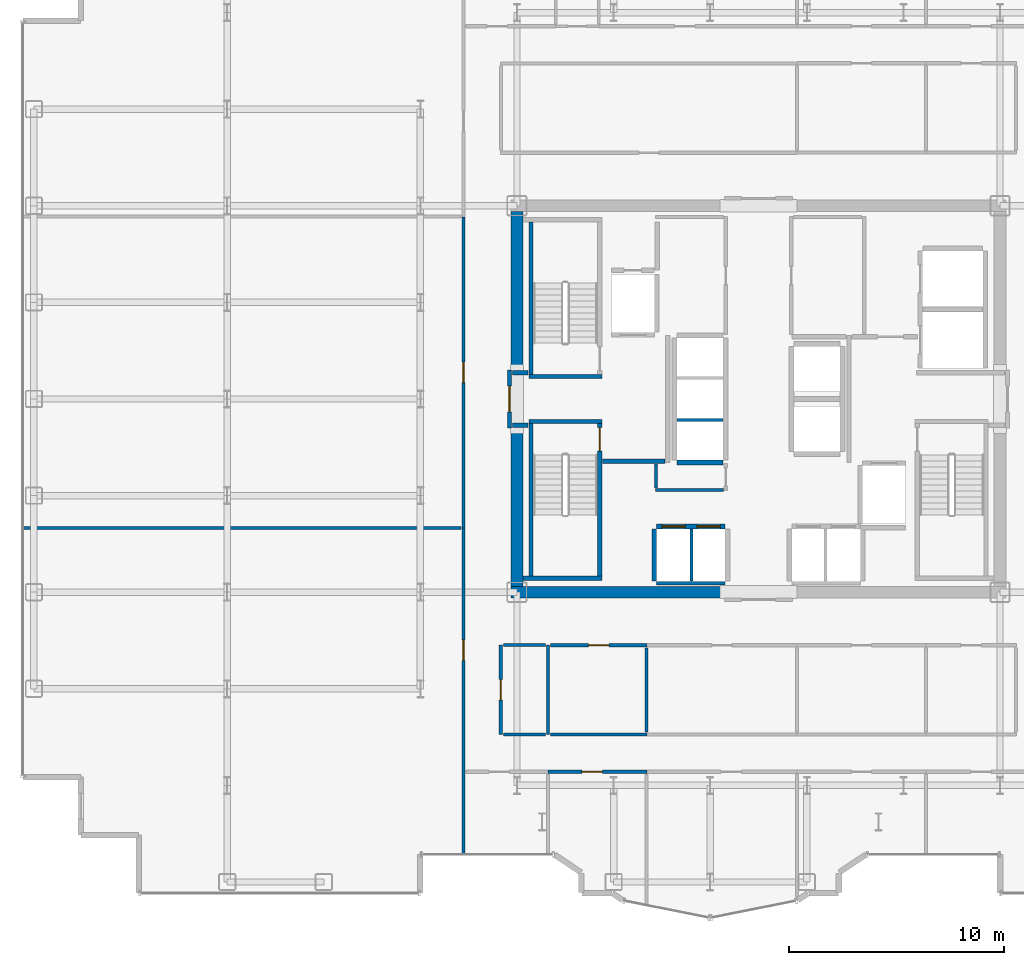
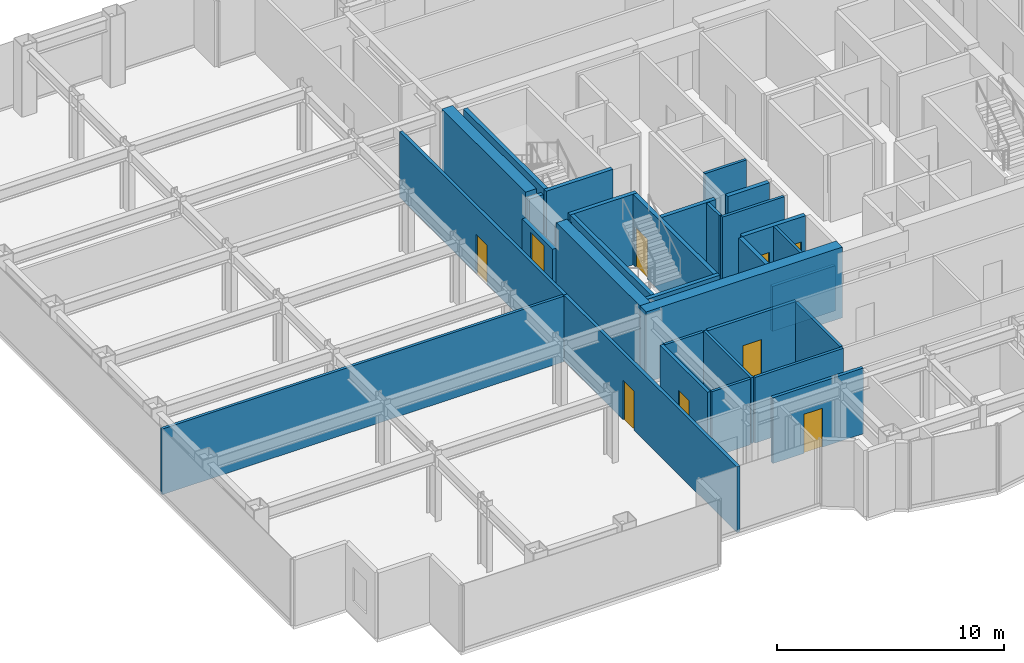
# One storey, part 17 of 23: 32 walls, 9 doors, 9 openings.
"""IFC4 building model written with IfcOpenShell, lengths in metres."""

import ifcopenshell
import ifcopenshell.guid

model = None  # the IFC model being written
_history = None  # IfcOwnerHistory: only IFC2X3 demands one
_inside = {}  # id of a spatial element -> (the spatial element, [elements in it])
_under = {}  # id of a project, library or spatial element -> (it, [spatial elements below it])
_declared = {}  # id of a project -> (the project, [libraries it declares])
_typed = {}  # id of a type object -> (the type object, [elements of that type])
_made_of = {}  # id of a material, layer set ... -> (it, [elements and type objects made of it])


def new_model(schema):
    """Start an empty IFC model of exactly this schema.

    Asked for "IFC4X3", IfcOpenShell would pick the latest addendum, in which some entities
    have other attributes; the version numbers below select the first issue.
    IFC2X3 requires an IfcOwnerHistory on every rooted entity: one is made here for all.
    """
    global model, _history
    if schema == "IFC4X3":
        model = ifcopenshell.file(schema_version=(4, 3, 0, 0))
    else:
        model = ifcopenshell.file(schema=schema)
    _inside.clear()
    _under.clear()
    _declared.clear()
    _typed.clear()
    _made_of.clear()
    _history = None
    if model.schema == "IFC2X3":
        org = make("IfcOrganization", Name="unknown")
        user = make(
            "IfcPersonAndOrganization",
            ThePerson=make("IfcPerson", FamilyName="unknown"),
            TheOrganization=org,
        )
        app = make(
            "IfcApplication",
            ApplicationDeveloper=org,
            Version="unknown",
            ApplicationFullName="unknown",
            ApplicationIdentifier="unknown",
        )
        _history = make(
            "IfcOwnerHistory",
            OwningUser=user,
            OwningApplication=app,
            ChangeAction="ADDED",
            CreationDate=0,
        )
    return model


def make(cls, **values):
    """One entity of the class cls with the attributes given. An attribute that is None is left unset."""
    return model.create_entity(
        cls, **{name: value for name, value in values.items() if value is not None}
    )


def rooted(cls, **values):
    """An entity with a GlobalId (a new one), such as an element, a storey or a relation."""
    return make(cls, GlobalId=ifcopenshell.guid.new(), OwnerHistory=_history, **values)


def si_unit(unit_type, name, prefix=None):
    """IfcSIUnit, for example si_unit("LENGTHUNIT", "METRE", prefix="MILLI")."""
    return make("IfcSIUnit", UnitType=unit_type, Prefix=prefix, Name=name)


def assignment(units):
    """IfcUnitAssignment: the units of a project."""
    return None if units is None else make("IfcUnitAssignment", Units=units)


def point(xyz):
    """IfcCartesianPoint."""
    return None if xyz is None else make("IfcCartesianPoint", Coordinates=xyz)


def direction(xyz):
    """IfcDirection."""
    return None if xyz is None else make("IfcDirection", DirectionRatios=xyz)


def frame(location, z_axis=None, x_axis=None):
    """IfcAxis2Placement3D, a coordinate frame: its origin and axes. An axis left out is left unset."""
    return make(
        "IfcAxis2Placement3D",
        Location=point(location),
        Axis=direction(z_axis),
        RefDirection=direction(x_axis),
    )


def frame_2d(location, x_axis=None):
    """IfcAxis2Placement2D, a coordinate frame in the plane: its origin and x axis."""
    return make(
        "IfcAxis2Placement2D", Location=point(location), RefDirection=direction(x_axis)
    )


def origin():
    """The frame at (0, 0, 0) with its axes left unset."""
    return frame((0.0, 0.0, 0.0))


def place(relative_to, where):
    """IfcLocalPlacement: puts the frame where relative to a parent placement (None: the world)."""
    return make(
        "IfcLocalPlacement", PlacementRelTo=relative_to, RelativePlacement=where
    )


def context(
    kind, dimensions, precision=None, world=None, true_north=None, identifier=None
):
    """IfcGeometricRepresentationContext, for example the 3D "Model" context."""
    return make(
        "IfcGeometricRepresentationContext",
        ContextIdentifier=identifier,
        ContextType=kind,
        CoordinateSpaceDimension=dimensions,
        Precision=precision,
        WorldCoordinateSystem=world,
        TrueNorth=true_north,
    )


def subcontext(parent, identifier, kind, view, scale=None):
    """IfcGeometricRepresentationSubContext, for example "Body" below "Model"."""
    return make(
        "IfcGeometricRepresentationSubContext",
        ContextIdentifier=identifier,
        ContextType=kind,
        ParentContext=parent,
        TargetScale=scale,
        TargetView=view,
    )


def project(units=None, contexts=None):
    """IfcProject with its units and contexts."""
    return rooted(
        "IfcProject",
        Name="project",
        RepresentationContexts=contexts,
        UnitsInContext=assignment(units),
    )


def spatial(cls, under=None, at=None, **own):
    """A site, building, storey or space (cls), placed at a placement, below another one or the project."""
    s = rooted(cls, ObjectPlacement=at, **own)
    if under is not None:
        _under.setdefault(under.id(), (under, []))[1].append(s)
    return s


def profile(cls, at=None, kind="AREA", **sizes):
    """A parametric profile (cls). Its sizes go by their IFC names, for example OverallWidth=200.0."""
    return make(cls, ProfileType=kind, Position=at, **sizes)


def rectangle(**sizes):
    """IfcRectangleProfileDef."""
    return profile("IfcRectangleProfileDef", **sizes)


def extrude(swept, where, along, depth):
    """IfcExtrudedAreaSolid: the profile swept, set in the frame where, extruded along a direction by depth."""
    return make(
        "IfcExtrudedAreaSolid",
        SweptArea=swept,
        Position=where,
        ExtrudedDirection=direction(along),
        Depth=depth,
    )


def shape(context_of_items, identifier, shape_type, items):
    """IfcShapeRepresentation: the items that make up one representation, for example the "Body"."""
    return make(
        "IfcShapeRepresentation",
        ContextOfItems=context_of_items,
        RepresentationIdentifier=identifier,
        RepresentationType=shape_type,
        Items=items,
    )


def source(mapping_origin, context_of_items, identifier, shape_type, items):
    """IfcRepresentationMap: a shape defined once, which mapped items show again and again."""
    return make(
        "IfcRepresentationMap",
        MappingOrigin=mapping_origin,
        MappedRepresentation=shape(context_of_items, identifier, shape_type, items),
    )


def transform(
    local_origin,
    x_axis=None,
    y_axis=None,
    z_axis=None,
    scale=None,
    scale2=None,
    scale3=None,
    uniform=True,
):
    """IfcCartesianTransformationOperator3D, or its non-uniform kind. x_axis, y_axis, z_axis: its Axis1, 2, 3."""
    if uniform:
        return make(
            "IfcCartesianTransformationOperator3D",
            Axis1=direction(x_axis),
            Axis2=direction(y_axis),
            LocalOrigin=point(local_origin),
            Scale=scale,
            Axis3=direction(z_axis),
        )
    return make(
        "IfcCartesianTransformationOperator3DnonUniform",
        Axis1=direction(x_axis),
        Axis2=direction(y_axis),
        LocalOrigin=point(local_origin),
        Scale=scale,
        Axis3=direction(z_axis),
        Scale2=scale2,
        Scale3=scale3,
    )


def mapped(mapping_source, mapping_target):
    """IfcMappedItem: shows the shape of a source again, moved by a transform."""
    return make(
        "IfcMappedItem", MappingSource=mapping_source, MappingTarget=mapping_target
    )


def material(Name=None, Category=None):
    """IfcMaterial."""
    return make("IfcMaterial", Name=Name, Category=Category)


def layer(
    of_material, thickness, ventilated=None, Name=None, Category=None, Priority=None
):
    """IfcMaterialLayer: one layer of a wall or slab, of a material (None: an air gap)."""
    return make(
        "IfcMaterialLayer",
        Material=of_material,
        LayerThickness=thickness,
        IsVentilated=ventilated,
        Name=Name,
        Category=Category,
        Priority=Priority,
    )


def layer_set(layers, Name=None):
    """IfcMaterialLayerSet."""
    return make("IfcMaterialLayerSet", MaterialLayers=layers, LayerSetName=Name)


def made_of(thing, what):
    """Note that an element or type object is made of a material, layer set ...; save() writes the relation."""
    if what is not None:
        _made_of.setdefault(what.id(), (what, []))[1].append(thing)
    return thing


def type_object(cls, material=None, **own):
    """A type object (cls), such as IfcWallType, which elements share."""
    return made_of(rooted(cls, **own), material)


def element(
    cls,
    number,
    at=None,
    inside=None,
    cuts=None,
    type_object=None,
    material=None,
    context=None,
    identifier="Body",
    shape_type=None,
    held_by="IfcProductDefinitionShape",
    body=None,
    shapes=None,
    **own,
):
    """One element of the class cls, such as IfcWall. Its Tag is "e" and its number.

    at: its placement. inside: the storey or other place that contains it. cuts: it is an
    opening in that element (IfcRelVoidsElement). A single representation is given by context,
    identifier, shape_type and body (its items); several are given by shapes. held_by: the class
    of the entity that holds the representations. save() writes the other relations.
    """
    e = rooted(cls, Tag="e%d" % number, ObjectPlacement=at, **own)
    if body is not None:
        shapes = [shape(context, identifier, shape_type, body)]
    if shapes is not None:
        e.Representation = make(held_by, Representations=shapes)
    if inside is not None:
        _inside.setdefault(inside.id(), (inside, []))[1].append(e)
    if cuts is not None:
        rooted(
            "IfcRelVoidsElement", RelatingBuildingElement=cuts, RelatedOpeningElement=e
        )
    if type_object is not None:
        _typed.setdefault(type_object.id(), (type_object, []))[1].append(e)
    return made_of(e, material)


def fill(opening, filler):
    """IfcRelFillsElement: the door or window that sits in an opening."""
    return rooted(
        "IfcRelFillsElement",
        RelatingOpeningElement=opening,
        RelatedBuildingElement=filler,
    )


def aggregate(whole, parts):
    """IfcRelAggregates: a whole, such as a stair, and the parts it consists of."""
    return rooted("IfcRelAggregates", RelatingObject=whole, RelatedObjects=parts)


def save(model, path):
    """Write the relations noted so far, then the file.

    IfcRelAggregates (storeys below a building ...), IfcRelContainedInSpatialStructure (elements
    in a storey), IfcRelDefinesByType, IfcRelAssociatesMaterial and IfcRelDeclares: one each for
    every whole, place, type object, material and project.
    """
    for whole, parts in _under.values():
        aggregate(whole, parts)
    for where, things in _inside.values():
        rooted(
            "IfcRelContainedInSpatialStructure",
            RelatedElements=things,
            RelatingStructure=where,
        )
    for kind, things in _typed.values():
        rooted("IfcRelDefinesByType", RelatedObjects=things, RelatingType=kind)
    for what, things in _made_of.values():
        rooted("IfcRelAssociatesMaterial", RelatedObjects=things, RelatingMaterial=what)
    for by, libraries in _declared.values():
        rooted("IfcRelDeclares", RelatingContext=by, RelatedDefinitions=libraries)
    model.write(path)


model = new_model("IFC4")

# Units and contexts
model_context = context("Model", 3, precision=1e-05, world=origin(), true_north=direction((0.0, 1.0)))
body_context = subcontext(model_context, "Body", "Model", "MODEL_VIEW")
ifc_project = project(units=[si_unit("LENGTHUNIT", "METRE"), si_unit("AREAUNIT", "SQUARE_METRE"), si_unit("VOLUMEUNIT", "CUBIC_METRE"), si_unit("PLANEANGLEUNIT", "RADIAN"), si_unit("MASSUNIT", "GRAM", prefix="KILO")], contexts=[model_context])

# Site, building, storey
site_placement = place(None, origin())
site = spatial("IfcSite", under=ifc_project, at=site_placement, CompositionType="ELEMENT")
building_placement = place(site_placement, origin())
building = spatial("IfcBuilding", under=site, at=building_placement, Name="Nefas-Gora Pilgrimage Tower", CompositionType="ELEMENT")
storey_placement = place(building_placement, frame((0.0, 0.0, 175.39990234375)))
storey = spatial("IfcBuildingStorey", under=building, at=storey_placement, Name="L43", CompositionType="ELEMENT", Elevation=175.39990234375)

# Walls
ifc_material_1 = material(Name="Concrete C60/75", Category="concrete")
ifc_layer_1 = layer(ifc_material_1, 0.550048828125)
ifc_layer_set_1 = layer_set([ifc_layer_1], Name="Concrete C60/75")
wall_type_1 = type_object("IfcWallType", Name="SW-CORE-550", PredefinedType="SHEAR", material=ifc_layer_set_1)
shared_shape_1 = source(origin(), body_context, "Body", "SweptSolid", [
    extrude(rectangle(XDim=9.974853515625, YDim=0.550048828125, at=frame_2d((4.9873046875, 0.0))), origin(), (0.0, 0.0, 1.0), 3.800048828125),
])
wall_1_placement = place(storey_placement, frame((-11.52490234375, -9.0, 0.0), z_axis=(0.0, 0.0, 1.0), x_axis=(1.0, 0.0, 0.0)))
element("IfcWall", 1, at=wall_1_placement, inside=storey, type_object=wall_type_1, Name="L43 Core Shear Wall S-West", PredefinedType="SHEAR", context=body_context, shape_type="MappedRepresentation", body=[
    mapped(shared_shape_1, transform((0.0, 0.0, 0.0), x_axis=(1.0, 0.0, 0.0), y_axis=(0.0, 1.0, 0.0), z_axis=(0.0, 0.0, 1.0), scale=1.0)),
])
shared_shape_2 = source(origin(), body_context, "Body", "SweptSolid", [
    extrude(rectangle(XDim=7.375, YDim=0.550048828125, at=frame_2d((3.6875, 0.0))), origin(), (0.0, 0.0, 1.0), 3.800048828125),
])
for number, where, z_axis, x_axis, name in (
    (2, (-11.25, -8.72509765625, 0.0), (0.0, 0.0, 1.0), (0.0, 1.0, 0.0), "L43 Core Shear Wall W-South"),
    (3, (-11.25, 1.35009765625, 0.0), (0.0, 0.0, 1.0), (0.0, 1.0, 0.0), "L43 Core Shear Wall W-North"),
):
    element("IfcWall", number, at=place(storey_placement, frame(where, z_axis=z_axis, x_axis=x_axis)), inside=storey, type_object=wall_type_1, Name=name, PredefinedType="SHEAR", context=body_context, shape_type="MappedRepresentation", body=[
        mapped(shared_shape_2, transform((0.0, 0.0, 0.0), x_axis=(1.0, 0.0, 0.0), y_axis=(0.0, 1.0, 0.0), z_axis=(0.0, 0.0, 1.0), scale=1.0)),
    ])
ifc_material_2 = material(Name="Concrete C45/55", Category="concrete")
ifc_layer_2 = layer(ifc_material_2, 0.199951171875)
ifc_layer_set_2 = layer_set([ifc_layer_2], Name="Concrete C45/55")
wall_type_2 = type_object("IfcWallType", Name="IW-STAIR-200", PredefinedType="SOLIDWALL", material=ifc_layer_set_2)
shared_shape_3 = source(origin(), body_context, "Body", "SweptSolid", [
    extrude(rectangle(XDim=3.39990234375, YDim=0.199951171875, at=frame_2d((1.699951171875, 0.0))), origin(), (0.0, 0.0, 1.0), 3.800048828125),
])
for number, where, z_axis, x_axis, name in (
    (4, (-7.300048828125, 1.050048828125, 0.0), (0.0, 0.0, 1.0), (-1.0, 0.0, 0.0), "L43 Stairwell Shear Wall ST-01-near"),
    (5, (-10.699951171875, -1.050048828125, 0.0), (0.0, 0.0, 1.0), (1.0, 0.0, 0.0), "L43 Stairwell Shear Wall ST-03-near"),
):
    element("IfcWall", number, at=place(storey_placement, frame(where, z_axis=z_axis, x_axis=x_axis)), inside=storey, type_object=wall_type_2, Name=name, PredefinedType="SOLIDWALL", context=body_context, shape_type="MappedRepresentation", body=[
        mapped(shared_shape_3, transform((0.0, 0.0, 0.0), x_axis=(1.0, 0.0, 0.0), y_axis=(0.0, 1.0, 0.0), z_axis=(0.0, 0.0, 1.0), scale=1.0)),
    ])
shared_shape_4 = source(origin(), body_context, "Body", "SweptSolid", [
    extrude(rectangle(XDim=7.10009765625, YDim=0.199951171875, at=frame_2d((3.550048828125, 0.0))), origin(), (0.0, 0.0, 1.0), 3.800048828125),
])
for number, where, z_axis, x_axis, name in (
    (6, (-10.60009765625, 1.14990234375, 0.0), (0.0, 0.0, 1.0), (0.0, 1.0, 0.0), "L43 Stairwell Shear Wall ST-01-right"),
    (7, (-10.60009765625, -1.14990234375, 0.0), (0.0, 0.0, 1.0), (0.0, -1.0, 0.0), "L43 Stairwell Shear Wall ST-03-left"),
):
    element("IfcWall", number, at=place(storey_placement, frame(where, z_axis=z_axis, x_axis=x_axis)), inside=storey, type_object=wall_type_2, Name=name, PredefinedType="SOLIDWALL", context=body_context, shape_type="MappedRepresentation", body=[
        mapped(shared_shape_4, transform((0.0, 0.0, 0.0), x_axis=(1.0, 0.0, 0.0), y_axis=(0.0, 1.0, 0.0), z_axis=(0.0, 0.0, 1.0), scale=1.0)),
    ])

# Wall, opening, door
wall_2_placement = place(storey_placement, frame((-7.39990234375, -1.14990234375, 0.0), z_axis=(0.0, 0.0, 1.0), x_axis=(0.0, -1.0, 0.0)))
wall_2 = element("IfcWall", 8, at=wall_2_placement, inside=storey, type_object=wall_type_2, Name="L43 Stairwell Shear Wall ST-03-right", PredefinedType="SOLIDWALL", context=body_context, shape_type="MappedRepresentation", body=[
    mapped(shared_shape_4, transform((0.0, 0.0, 0.0), x_axis=(1.0, 0.0, 0.0), y_axis=(0.0, 1.0, 0.0), z_axis=(0.0, 0.0, 1.0), scale=1.0)),
])
opening_1_placement = place(wall_2_placement, frame((0.179931640625, 0.0, 0.0)))
opening_1 = element("IfcOpeningElement", 9, at=opening_1_placement, cuts=wall_2, Name="Opening ID-ST1", PredefinedType="OPENING", context=body_context, shape_type="SweptSolid", body=[
    extrude(rectangle(XDim=1.10009765625, YDim=2.14990234375, at=frame_2d((0.550048828125, 1.074951171875))), frame((0.0, 0.10986328125, 0.0), z_axis=(0.0, -1.0, 0.0), x_axis=(1.0, 0.0, 0.0)), (0.0, 0.0, 1.0), 0.219970703125),
])
ifc_material_3 = material(Name="Painted galvanised steel fire stair door", Category="steel")
door_type_1 = type_object("IfcDoorType", Name="DR-INT-STAIR-1100", OperationType="NOTDEFINED", PredefinedType="DOOR", material=ifc_material_3)
shared_shape_5 = source(origin(), body_context, "Body", "SweptSolid", [
    extrude(rectangle(XDim=1.10009765625, YDim=2.14990234375, at=frame_2d((0.550048828125, 1.074951171875))), frame((0.0, 0.02490234375, 0.0), z_axis=(0.0, -1.0, 0.0), x_axis=(1.0, 0.0, 0.0)), (0.0, 0.0, 1.0), 0.050048828125),
])
door_1_placement = place(opening_1_placement, origin())
door_1 = element("IfcDoor", 10, at=door_1_placement, inside=storey, type_object=door_type_1, Name="L43 Protected Exit Stair Door ST-03", OperationType="SINGLE_SWING_LEFT", OverallHeight=2.14990234375, OverallWidth=1.10009765625, PredefinedType="DOOR", context=body_context, shape_type="MappedRepresentation", body=[
    mapped(shared_shape_5, transform((0.0, 0.0, 0.0), x_axis=(1.0, 0.0, 0.0), y_axis=(0.0, 1.0, 0.0), z_axis=(0.0, 0.0, 1.0), scale=1.0)),
])
fill(opening_1, door_1)

# Walls
shared_shape_6 = source(origin(), body_context, "Body", "SweptSolid", [
    extrude(rectangle(XDim=3.679931640625, YDim=0.199951171875, at=frame_2d((1.83984375, 0.0))), origin(), (0.0, 0.0, 1.0), 3.800048828125),
])
wall_3_placement = place(storey_placement, frame((-10.97998046875, -8.35009765625, 0.0), z_axis=(0.0, 0.0, 1.0), x_axis=(1.0, 0.0, 0.0)))
element("IfcWall", 11, at=wall_3_placement, inside=storey, type_object=wall_type_2, Name="L43 Stairwell Shear Wall ST-03-far", PredefinedType="SOLIDWALL", context=body_context, shape_type="MappedRepresentation", body=[
    mapped(shared_shape_6, transform((0.0, 0.0, 0.0), x_axis=(1.0, 0.0, 0.0), y_axis=(0.0, 1.0, 0.0), z_axis=(0.0, 0.0, 1.0), scale=1.0)),
])
ifc_material_4 = material(Name="Gypsum acoustic stud partition")
ifc_layer_3 = layer(ifc_material_4, 0.159912109375)
ifc_layer_set_3 = layer_set([ifc_layer_3], Name="Gypsum acoustic stud partition")
wall_type_3 = type_object("IfcWallType", Name="IW-CORR-160", PredefinedType="PARTITIONING", material=ifc_layer_set_3)
shared_shape_7 = source(origin(), body_context, "Body", "SweptSolid", [
    extrude(rectangle(XDim=3.199951171875, YDim=0.159912109375, at=frame_2d((1.60009765625, 0.0))), origin(), (0.0, 0.0, 1.0), 2.425048828125),
])
wall_4_placement = place(storey_placement, frame((-4.75, -8.580078125, 0.0), z_axis=(0.0, 0.0, 1.0), x_axis=(1.0, 0.0, 0.0)))
element("IfcWall", 12, at=wall_4_placement, inside=storey, type_object=wall_type_3, Name="L43 Hoistway Wall PL2-W-S", PredefinedType="PARTITIONING", context=body_context, shape_type="MappedRepresentation", body=[
    mapped(shared_shape_7, transform((0.0, 0.0, 0.0), x_axis=(1.0, 0.0, 0.0), y_axis=(0.0, 1.0, 0.0), z_axis=(0.0, 0.0, 1.0), scale=1.0)),
])

# Wall, openings, doors
ifc_material_5 = material(Name="Concrete C40/50", Category="concrete")
ifc_layer_4 = layer(ifc_material_5, 0.219970703125)
ifc_layer_set_4 = layer_set([ifc_layer_4], Name="Concrete C40/50")
wall_type_4 = type_object("IfcWallType", Name="IW-SHAFT-220", PredefinedType="SOLIDWALL", material=ifc_layer_set_4)
shared_shape_8 = source(origin(), body_context, "Body", "SweptSolid", [
    extrude(rectangle(XDim=3.199951171875, YDim=0.219970703125, at=frame_2d((1.60009765625, 0.0))), origin(), (0.0, 0.0, 1.0), 3.53515625),
])
wall_5_placement = place(storey_placement, frame((-1.550048828125, -5.93994140625, 0.0), z_axis=(0.0, 0.0, 1.0), x_axis=(-1.0, 0.0, 0.0)))
wall_5 = element("IfcWall", 13, at=wall_5_placement, inside=storey, type_object=wall_type_4, Name="L43 Hoistway Wall PL2-W-N", PredefinedType="SOLIDWALL", context=body_context, shape_type="MappedRepresentation", body=[
    mapped(shared_shape_8, transform((0.0, 0.0, 0.0), x_axis=(1.0, 0.0, 0.0), y_axis=(0.0, 1.0, 0.0), z_axis=(0.0, 0.0, 1.0), scale=1.0)),
])
opening_2_placement = place(wall_5_placement, frame((1.85009765625, 0.0, 0.0)))
opening_2 = element("IfcOpeningElement", 14, at=opening_2_placement, cuts=wall_5, Name="Opening LD-01", PredefinedType="OPENING", context=body_context, shape_type="SweptSolid", body=[
    extrude(rectangle(XDim=1.10009765625, YDim=2.199951171875, at=frame_2d((0.550048828125, 1.10009765625))), frame((0.0, 0.119873046875, 0.0), z_axis=(0.0, -1.0, 0.0), x_axis=(1.0, 0.0, 0.0)), (0.0, 0.0, 1.0), 0.239990234375),
])
opening_3_placement = place(wall_5_placement, frame((0.22509765625, 0.0, 0.0)))
opening_3 = element("IfcOpeningElement", 15, at=opening_3_placement, cuts=wall_5, Name="Opening LD-01", PredefinedType="OPENING", context=body_context, shape_type="SweptSolid", body=[
    extrude(rectangle(XDim=1.10009765625, YDim=2.199951171875, at=frame_2d((0.550048828125, 1.10009765625))), frame((0.0, 0.119873046875, 0.0), z_axis=(0.0, -1.0, 0.0), x_axis=(1.0, 0.0, 0.0)), (0.0, 0.0, 1.0), 0.239990234375),
])
ifc_material_6 = material(Name="Brushed stainless sliding lift landing door")
door_type_2 = type_object("IfcDoorType", Name="DR-LIFT-PASS-1100", OperationType="DOUBLE_DOOR_SLIDING", PredefinedType="DOOR", material=ifc_material_6)
shared_shape_9 = source(origin(), body_context, "Body", "SweptSolid", [
    extrude(rectangle(XDim=1.10009765625, YDim=2.199951171875, at=frame_2d((0.550048828125, 1.10009765625))), frame((0.0, 0.02490234375, 0.0), z_axis=(0.0, -1.0, 0.0), x_axis=(1.0, 0.0, 0.0)), (0.0, 0.0, 1.0), 0.050048828125),
])
door_2_placement = place(opening_2_placement, origin())
door_2 = element("IfcDoor", 16, at=door_2_placement, inside=storey, type_object=door_type_2, Name="L43 Sliding Lift Landing Door PL2-01", OperationType="DOUBLE_DOOR_SLIDING", OverallHeight=2.199951171875, OverallWidth=1.10009765625, PredefinedType="DOOR", context=body_context, shape_type="MappedRepresentation", body=[
    mapped(shared_shape_9, transform((0.0, 0.0, 0.0), x_axis=(1.0, 0.0, 0.0), y_axis=(0.0, 1.0, 0.0), z_axis=(0.0, 0.0, 1.0), scale=1.0)),
])
fill(opening_2, door_2)
door_3_placement = place(opening_3_placement, origin())
door_3 = element("IfcDoor", 17, at=door_3_placement, inside=storey, type_object=door_type_2, Name="L43 Sliding Lift Landing Door PL2-02", OperationType="DOUBLE_DOOR_SLIDING", OverallHeight=2.199951171875, OverallWidth=1.10009765625, PredefinedType="DOOR", context=body_context, shape_type="MappedRepresentation", body=[
    mapped(shared_shape_9, transform((0.0, 0.0, 0.0), x_axis=(1.0, 0.0, 0.0), y_axis=(0.0, 1.0, 0.0), z_axis=(0.0, 0.0, 1.0), scale=1.0)),
])
fill(opening_3, door_3)

# Walls
shared_shape_10 = source(origin(), body_context, "Body", "SweptSolid", [
    extrude(rectangle(XDim=2.429931640625, YDim=0.219970703125, at=frame_2d((1.21484375, 0.0))), origin(), (0.0, 0.0, 1.0), 3.53515625),
])
wall_6_placement = place(storey_placement, frame((-4.860107421875, -6.06005859375, 0.0), z_axis=(0.0, 0.0, 1.0), x_axis=(0.0, -1.0, 0.0)))
element("IfcWall", 18, at=wall_6_placement, inside=storey, type_object=wall_type_4, Name="L43 Hoistway Wall PL2-W-W", PredefinedType="SOLIDWALL", context=body_context, shape_type="MappedRepresentation", body=[
    mapped(shared_shape_10, transform((0.0, 0.0, 0.0), x_axis=(1.0, 0.0, 0.0), y_axis=(0.0, 1.0, 0.0), z_axis=(0.0, 0.0, 1.0), scale=1.0)),
])
ifc_material_7 = material(Name="Gypsum twin-stud partition")
ifc_layer_5 = layer(ifc_material_7, 0.139892578125)
ifc_layer_set_5 = layer_set([ifc_layer_5], Name="Gypsum twin-stud partition")
wall_type_5 = type_object("IfcWallType", Name="IW-UNIT-140", PredefinedType="PARTITIONING", material=ifc_layer_set_5)
shared_shape_11 = source(origin(), body_context, "Body", "SweptSolid", [
    extrude(rectangle(XDim=2.429931640625, YDim=0.139892578125, at=frame_2d((1.21484375, 0.0))), origin(), (0.0, 0.0, 1.0), 3.53515625),
])
wall_7_placement = place(storey_placement, frame((-3.125, -8.489990234375, 0.0), z_axis=(0.0, 0.0, 1.0), x_axis=(0.0, 1.0, 0.0)))
element("IfcWall", 19, at=wall_7_placement, inside=storey, type_object=wall_type_5, Name="L43 Hoistway Wall PL2-W-DIV", PredefinedType="PARTITIONING", context=body_context, shape_type="MappedRepresentation", body=[
    mapped(shared_shape_11, transform((0.0, 0.0, 0.0), x_axis=(1.0, 0.0, 0.0), y_axis=(0.0, 1.0, 0.0), z_axis=(0.0, 0.0, 1.0), scale=1.0)),
])
shared_shape_12 = source(origin(), body_context, "Body", "SweptSolid", [
    extrude(rectangle(XDim=2.130126953125, YDim=0.219970703125, at=frame_2d((1.06494140625, 0.0))), origin(), (0.0, 0.0, 1.0), 3.53515625),
])
wall_8_placement = place(storey_placement, frame((-3.7900390625, -2.9599609375, 0.0), z_axis=(0.0, 0.0, 1.0), x_axis=(1.0, 0.0, 0.0)))
element("IfcWall", 20, at=wall_8_placement, inside=storey, type_object=wall_type_4, Name="L43 Hoistway Wall PL3-01-S", PredefinedType="SOLIDWALL", context=body_context, shape_type="MappedRepresentation", body=[
    mapped(shared_shape_12, transform((0.0, 0.0, 0.0), x_axis=(1.0, 0.0, 0.0), y_axis=(0.0, 1.0, 0.0), z_axis=(0.0, 0.0, 1.0), scale=1.0)),
])
shared_shape_13 = source(origin(), body_context, "Body", "SweptSolid", [
    extrude(rectangle(XDim=2.130126953125, YDim=0.139892578125, at=frame_2d((1.06494140625, 0.0))), origin(), (0.0, 0.0, 1.0), 3.53515625),
])
wall_9_placement = place(storey_placement, frame((-3.7900390625, -0.97509765625, 0.0), z_axis=(0.0, 0.0, 1.0), x_axis=(1.0, 0.0, 0.0)))
element("IfcWall", 21, at=wall_9_placement, inside=storey, type_object=wall_type_5, Name="L43 Hoistway Wall PL3-01-02-DIV", PredefinedType="PARTITIONING", context=body_context, shape_type="MappedRepresentation", body=[
    mapped(shared_shape_13, transform((0.0, 0.0, 0.0), x_axis=(1.0, 0.0, 0.0), y_axis=(0.0, 1.0, 0.0), z_axis=(0.0, 0.0, 1.0), scale=1.0)),
])

# Wall, opening, door
ifc_material_8 = material(Name="Gypsum fire-rated shaftwall")
ifc_layer_6 = layer(ifc_material_8, 0.199951171875)
ifc_layer_set_6 = layer_set([ifc_layer_6], Name="Gypsum fire-rated shaftwall")
wall_type_6 = type_object("IfcWallType", Name="IW-FFLOB-200", PredefinedType="PARTITIONING", material=ifc_layer_set_6)
shared_shape_14 = source(origin(), body_context, "Body", "SweptSolid", [
    extrude(rectangle(XDim=2.7001953125, YDim=0.199951171875, at=frame_2d((1.35009765625, 0.0))), origin(), (0.0, 0.0, 1.0), 2.425048828125),
])
wall_10_placement = place(storey_placement, frame((-11.60009765625, -1.35009765625, 0.0), z_axis=(0.0, 0.0, 1.0), x_axis=(0.0, 1.0, 0.0)))
wall_10 = element("IfcWall", 22, at=wall_10_placement, inside=storey, type_object=wall_type_6, Name="L43 FF Lobby West Portal Wall 4", PredefinedType="PARTITIONING", context=body_context, shape_type="MappedRepresentation", body=[
    mapped(shared_shape_14, transform((0.0, 0.0, 0.0), x_axis=(1.0, 0.0, 0.0), y_axis=(0.0, 1.0, 0.0), z_axis=(0.0, 0.0, 1.0), scale=1.0)),
])
opening_4_placement = place(wall_10_placement, frame((0.75, 0.0, 0.0)))
opening_4 = element("IfcOpeningElement", 23, at=opening_4_placement, cuts=wall_10, Name="Opening ID-FF1", PredefinedType="OPENING", context=body_context, shape_type="SweptSolid", body=[
    extrude(rectangle(XDim=1.199951171875, YDim=2.14990234375, at=frame_2d((0.60009765625, 1.074951171875))), frame((0.0, 0.10986328125, 0.0), z_axis=(0.0, -1.0, 0.0), x_axis=(1.0, 0.0, 0.0)), (0.0, 0.0, 1.0), 0.219970703125),
])
ifc_material_9 = material(Name="Smoke-sealed steel firefighting lobby door", Category="steel")
door_type_3 = type_object("IfcDoorType", Name="DR-INT-FFLOB-1200", OperationType="NOTDEFINED", PredefinedType="DOOR", material=ifc_material_9)
shared_shape_15 = source(origin(), body_context, "Body", "SweptSolid", [
    extrude(rectangle(XDim=1.199951171875, YDim=2.14990234375, at=frame_2d((0.60009765625, 1.074951171875))), frame((0.0, 0.02490234375, 0.0), z_axis=(0.0, -1.0, 0.0), x_axis=(1.0, 0.0, 0.0)), (0.0, 0.0, 1.0), 0.050048828125),
])
door_4_placement = place(opening_4_placement, origin())
door_4 = element("IfcDoor", 24, at=door_4_placement, inside=storey, type_object=door_type_3, Name="L43 FF Lobby West Portal Door 2", OperationType="SINGLE_SWING_LEFT", OverallHeight=2.14990234375, OverallWidth=1.199951171875, PredefinedType="DOOR", context=body_context, shape_type="MappedRepresentation", body=[
    mapped(shared_shape_15, transform((0.0, 0.0, 0.0), x_axis=(1.0, 0.0, 0.0), y_axis=(0.0, 1.0, 0.0), z_axis=(0.0, 0.0, 1.0), scale=1.0)),
])
fill(opening_4, door_4)

# Walls
shared_shape_16 = source(origin(), body_context, "Body", "SweptSolid", [
    extrude(rectangle(XDim=2.89990234375, YDim=0.199951171875, at=frame_2d((1.449951171875, 0.0))), origin(), (0.0, 0.0, 1.0), 3.53515625),
])
wall_11_placement = place(storey_placement, frame((-7.260009765625, -2.89990234375, 0.0), z_axis=(0.0, 0.0, 1.0), x_axis=(1.0, 0.0, 0.0)))
element("IfcWall", 25, at=wall_11_placement, inside=storey, type_object=wall_type_6, Name="L43 FF Lobby West South Wall Wall 6", PredefinedType="PARTITIONING", context=body_context, shape_type="MappedRepresentation", body=[
    mapped(shared_shape_16, transform((0.0, 0.0, 0.0), x_axis=(1.0, 0.0, 0.0), y_axis=(0.0, 1.0, 0.0), z_axis=(0.0, 0.0, 1.0), scale=1.0)),
])
shared_shape_17 = source(origin(), body_context, "Body", "SweptSolid", [
    extrude(rectangle(XDim=0.719970703125, YDim=0.199951171875, at=frame_2d((0.35986328125, 0.0))), origin(), (0.0, 0.0, 1.0), 3.53515625),
])
for number, where, z_axis, x_axis, name in (
    (26, (-11.4599609375, 1.219970703125, 0.0), (0.0, 0.0, 1.0), (1.0, 0.0, 0.0), "L43 FF Lobby West Throat N Wall 7"),
    (27, (-11.4599609375, -1.219970703125, 0.0), (0.0, 0.0, 1.0), (1.0, 0.0, 0.0), "L43 FF Lobby West Throat S Wall 8"),
):
    element("IfcWall", number, at=place(storey_placement, frame(where, z_axis=z_axis, x_axis=x_axis)), inside=storey, type_object=wall_type_6, Name=name, PredefinedType="PARTITIONING", context=body_context, shape_type="MappedRepresentation", body=[
        mapped(shared_shape_17, transform((0.0, 0.0, 0.0), x_axis=(1.0, 0.0, 0.0), y_axis=(0.0, 1.0, 0.0), z_axis=(0.0, 0.0, 1.0), scale=1.0)),
    ])
shared_shape_18 = source(origin(), body_context, "Body", "SweptSolid", [
    extrude(rectangle(XDim=3.150146484375, YDim=0.139892578125, at=frame_2d((1.5751953125, 0.0))), origin(), (0.0, 0.0, 1.0), 3.53515625),
])
wall_12_placement = place(storey_placement, frame((-4.7900390625, -4.25, 0.0), z_axis=(0.0, 0.0, 1.0), x_axis=(1.0, 0.0, 0.0)))
element("IfcWall", 28, at=wall_12_placement, inside=storey, type_object=wall_type_5, Name="L43 Pilgrim Baggage and Gear Vault Partition Wall 21", PredefinedType="PARTITIONING", context=body_context, shape_type="MappedRepresentation", body=[
    mapped(shared_shape_18, transform((0.0, 0.0, 0.0), x_axis=(1.0, 0.0, 0.0), y_axis=(0.0, 1.0, 0.0), z_axis=(0.0, 0.0, 1.0), scale=1.0)),
])
shared_shape_19 = source(origin(), body_context, "Body", "SweptSolid", [
    extrude(rectangle(XDim=20.429931640625, YDim=0.139892578125, at=frame_2d((10.21484375, 0.0))), origin(), (0.0, 0.0, 1.0), 3.53515625),
])
wall_13_placement = place(storey_placement, frame((-34.2900390625, -6.0048828125, 0.0), z_axis=(0.0, 0.0, 1.0), x_axis=(1.0, 0.0, 0.0)))
element("IfcWall", 29, at=wall_13_placement, inside=storey, type_object=wall_type_5, Name="L43 Pilgrim Tea and Beverage Pantry Partition Wall 29", PredefinedType="PARTITIONING", context=body_context, shape_type="MappedRepresentation", body=[
    mapped(shared_shape_19, transform((0.0, 0.0, 0.0), x_axis=(1.0, 0.0, 0.0), y_axis=(0.0, 1.0, 0.0), z_axis=(0.0, 0.0, 1.0), scale=1.0)),
])

# Wall, opening, door
shared_shape_20 = source(origin(), body_context, "Body", "SweptSolid", [
    extrude(rectangle(XDim=15.244873046875, YDim=0.159912109375, at=frame_2d((7.62255859375, 0.0))), origin(), (0.0, 0.0, 1.0), 3.53515625),
])
wall_14_placement = place(storey_placement, frame((-13.739990234375, -21.239990234375, 0.0), z_axis=(0.0, 0.0, 1.0), x_axis=(0.0, 1.0, 0.0)))
wall_14 = element("IfcWall", 30, at=wall_14_placement, inside=storey, type_object=wall_type_3, Name="L43 Pilgrim Tea and Beverage Pantry Partition Wall 28", PredefinedType="PARTITIONING", context=body_context, shape_type="MappedRepresentation", body=[
    mapped(shared_shape_20, transform((0.0, 0.0, 0.0), x_axis=(1.0, 0.0, 0.0), y_axis=(0.0, 1.0, 0.0), z_axis=(0.0, 0.0, 1.0), scale=1.0)),
])
opening_5_placement = place(wall_14_placement, frame((9.0625, 0.0, 0.0)))
opening_5 = element("IfcOpeningElement", 31, at=opening_5_placement, cuts=wall_14, Name="Opening ID-GR1", PredefinedType="OPENING", context=body_context, shape_type="SweptSolid", body=[
    extrude(rectangle(XDim=0.949951171875, YDim=2.10009765625, at=frame_2d((0.47509765625, 1.050048828125))), frame((0.0, 0.08984375, 0.0), z_axis=(0.0, -1.0, 0.0), x_axis=(1.0, 0.0, 0.0)), (0.0, 0.0, 1.0), 0.179931640625),
])
ifc_material_10 = material(Name="Solid core oak fire-rated guest entrance door")
door_type_4 = type_object("IfcDoorType", Name="DR-INT-GUEST-950", OperationType="NOTDEFINED", PredefinedType="DOOR", material=ifc_material_10)
shared_shape_21 = source(origin(), body_context, "Body", "SweptSolid", [
    extrude(rectangle(XDim=0.949951171875, YDim=2.10009765625, at=frame_2d((0.47509765625, 1.050048828125))), frame((0.0, 0.02490234375, 0.0), z_axis=(0.0, -1.0, 0.0), x_axis=(1.0, 0.0, 0.0)), (0.0, 0.0, 1.0), 0.050048828125),
])
door_5_placement = place(opening_5_placement, origin())
door_5 = element("IfcDoor", 32, at=door_5_placement, inside=storey, type_object=door_type_4, Name="L43 Pilgrim Tea and Beverage Pantry Door 11", OperationType="SINGLE_SWING_RIGHT", OverallHeight=2.10009765625, OverallWidth=0.949951171875, PredefinedType="DOOR", context=body_context, shape_type="MappedRepresentation", body=[
    mapped(shared_shape_21, transform((0.0, 0.0, 0.0), x_axis=(1.0, 0.0, 0.0), y_axis=(0.0, 1.0, 0.0), z_axis=(0.0, 0.0, 1.0), scale=1.0)),
])
fill(opening_5, door_5)

shared_shape_22 = source(origin(), body_context, "Body", "SweptSolid", [
    extrude(rectangle(XDim=4.60986328125, YDim=0.159912109375, at=frame_2d((2.304931640625, 0.0))), origin(), (0.0, 0.0, 1.0), 3.53515625),
])
wall_15_placement = place(storey_placement, frame((-9.804931640625, -17.3701171875, 0.0), z_axis=(0.0, 0.0, 1.0), x_axis=(1.0, 0.0, 0.0)))
wall_15 = element("IfcWall", 33, at=wall_15_placement, inside=storey, type_object=wall_type_3, Name="L43 Pilgrim Contemplative Lounge Partition Wall 70", PredefinedType="PARTITIONING", context=body_context, shape_type="MappedRepresentation", body=[
    mapped(shared_shape_22, transform((0.0, 0.0, 0.0), x_axis=(1.0, 0.0, 0.0), y_axis=(0.0, 1.0, 0.0), z_axis=(0.0, 0.0, 1.0), scale=1.0)),
])
opening_6_placement = place(wall_15_placement, frame((1.58203125, 0.0, 0.0)))
opening_6 = element("IfcOpeningElement", 34, at=opening_6_placement, cuts=wall_15, Name="Opening ID-GR1", PredefinedType="OPENING", context=body_context, shape_type="SweptSolid", body=[
    extrude(rectangle(XDim=0.949951171875, YDim=2.10009765625, at=frame_2d((0.47509765625, 1.050048828125))), frame((0.0, 0.08984375, 0.0), z_axis=(0.0, -1.0, 0.0), x_axis=(1.0, 0.0, 0.0)), (0.0, 0.0, 1.0), 0.179931640625),
])
door_6_placement = place(opening_6_placement, origin())
door_6 = element("IfcDoor", 35, at=door_6_placement, inside=storey, type_object=door_type_4, Name="L43 Pilgrim Contemplative Lounge Door 31", OperationType="SINGLE_SWING_RIGHT", OverallHeight=2.10009765625, OverallWidth=0.949951171875, PredefinedType="DOOR", context=body_context, shape_type="MappedRepresentation", body=[
    mapped(shared_shape_21, transform((0.0, 0.0, 0.0), x_axis=(1.0, 0.0, 0.0), y_axis=(0.0, 1.0, 0.0), z_axis=(0.0, 0.0, 1.0), scale=1.0)),
])
fill(opening_6, door_6)

# Walls
shared_shape_23 = source(origin(), body_context, "Body", "SweptSolid", [
    extrude(rectangle(XDim=1.099853515625, YDim=0.139892578125, at=frame_2d((0.5498046875, 0.0))), origin(), (0.0, 0.0, 1.0), 3.53515625),
])
wall_16_placement = place(storey_placement, frame((-4.780029296875, -4.139892578125, 0.0), z_axis=(0.0, 0.0, 1.0), x_axis=(0.0, 1.0, 0.0)))
element("IfcWall", 36, at=wall_16_placement, inside=storey, type_object=wall_type_5, Name="L43 Pilgrim Baggage and Gear Vault Partition Wall 22", PredefinedType="PARTITIONING", context=body_context, shape_type="MappedRepresentation", body=[
    mapped(shared_shape_23, transform((0.0, 0.0, 0.0), x_axis=(1.0, 0.0, 0.0), y_axis=(0.0, 1.0, 0.0), z_axis=(0.0, 0.0, 1.0), scale=1.0)),
])
shared_shape_24 = source(origin(), body_context, "Body", "SweptSolid", [
    extrude(rectangle(XDim=3.929931640625, YDim=0.139892578125, at=frame_2d((1.96484375, 0.0))), origin(), (0.0, 0.0, 1.0), 3.53515625),
])
wall_17_placement = place(storey_placement, frame((-5.205078125, -15.52001953125, 0.0), z_axis=(0.0, 0.0, 1.0), x_axis=(0.0, 1.0, 0.0)))
element("IfcWall", 37, at=wall_17_placement, inside=storey, type_object=wall_type_5, Name="L43 Pilgrim Contemplative Lounge Partition Wall 74", PredefinedType="PARTITIONING", context=body_context, shape_type="MappedRepresentation", body=[
    mapped(shared_shape_24, transform((0.0, 0.0, 0.0), x_axis=(1.0, 0.0, 0.0), y_axis=(0.0, 1.0, 0.0), z_axis=(0.0, 0.0, 1.0), scale=1.0)),
])
shared_shape_25 = source(origin(), body_context, "Body", "SweptSolid", [
    extrude(rectangle(XDim=4.179931640625, YDim=0.139892578125, at=frame_2d((2.08984375, 0.0))), origin(), (0.0, 0.0, 1.0), 3.53515625),
])
wall_18_placement = place(storey_placement, frame((-9.804931640625, -15.639892578125, 0.0), z_axis=(0.0, 0.0, 1.0), x_axis=(0.0, 1.0, 0.0)))
element("IfcWall", 38, at=wall_18_placement, inside=storey, type_object=wall_type_5, Name="L43 Pilgrim Contemplative Lounge Partition Wall 67", PredefinedType="PARTITIONING", context=body_context, shape_type="MappedRepresentation", body=[
    mapped(shared_shape_25, transform((0.0, 0.0, 0.0), x_axis=(1.0, 0.0, 0.0), y_axis=(0.0, 1.0, 0.0), z_axis=(0.0, 0.0, 1.0), scale=1.0)),
])

# Wall, opening, door
shared_shape_26 = source(origin(), body_context, "Body", "SweptSolid", [
    extrude(rectangle(XDim=4.179931640625, YDim=0.159912109375, at=frame_2d((2.08984375, 0.0))), origin(), (0.0, 0.0, 1.0), 3.53515625),
])
wall_19_placement = place(storey_placement, frame((-12.0, -15.639892578125, 0.0), z_axis=(0.0, 0.0, 1.0), x_axis=(0.0, 1.0, 0.0)))
wall_19 = element("IfcWall", 39, at=wall_19_placement, inside=storey, type_object=wall_type_3, Name="L43 Pilgrim Contemplative Lounge Partition Wall 66", PredefinedType="PARTITIONING", context=body_context, shape_type="MappedRepresentation", body=[
    mapped(shared_shape_26, transform((0.0, 0.0, 0.0), x_axis=(1.0, 0.0, 0.0), y_axis=(0.0, 1.0, 0.0), z_axis=(0.0, 0.0, 1.0), scale=1.0)),
])
opening_7_placement = place(wall_19_placement, frame((1.614990234375, 0.0, 0.0)))
opening_7 = element("IfcOpeningElement", 40, at=opening_7_placement, cuts=wall_19, Name="Opening ID-GR1", PredefinedType="OPENING", context=body_context, shape_type="SweptSolid", body=[
    extrude(rectangle(XDim=0.949951171875, YDim=2.10009765625, at=frame_2d((0.47509765625, 1.050048828125))), frame((0.0, 0.08984375, 0.0), z_axis=(0.0, -1.0, 0.0), x_axis=(1.0, 0.0, 0.0)), (0.0, 0.0, 1.0), 0.179931640625),
])
door_7_placement = place(opening_7_placement, origin())
door_7 = element("IfcDoor", 41, at=door_7_placement, inside=storey, type_object=door_type_4, Name="L43 Pilgrim Contemplative Lounge Door 30", OperationType="SINGLE_SWING_LEFT", OverallHeight=2.10009765625, OverallWidth=0.949951171875, PredefinedType="DOOR", context=body_context, shape_type="MappedRepresentation", body=[
    mapped(shared_shape_21, transform((0.0, 0.0, 0.0), x_axis=(1.0, 0.0, 0.0), y_axis=(0.0, 1.0, 0.0), z_axis=(0.0, 0.0, 1.0), scale=1.0)),
])
fill(opening_7, door_7)

shared_shape_27 = source(origin(), body_context, "Body", "SweptSolid", [
    extrude(rectangle(XDim=4.5, YDim=0.159912109375, at=frame_2d((2.25, 0.0))), origin(), (0.0, 0.0, 1.0), 3.53515625),
])
wall_20_placement = place(storey_placement, frame((-9.695068359375, -11.469970703125, 0.0), z_axis=(0.0, 0.0, 1.0), x_axis=(1.0, 0.0, 0.0)))
wall_20 = element("IfcWall", 42, at=wall_20_placement, inside=storey, type_object=wall_type_3, Name="L43 Pilgrim Contemplative Lounge Partition Wall 72", PredefinedType="PARTITIONING", context=body_context, shape_type="MappedRepresentation", body=[
    mapped(shared_shape_27, transform((0.0, 0.0, 0.0), x_axis=(1.0, 0.0, 0.0), y_axis=(0.0, 1.0, 0.0), z_axis=(0.0, 0.0, 1.0), scale=1.0)),
])
opening_8_placement = place(wall_20_placement, frame((1.77490234375, 0.0, 0.0)))
opening_8 = element("IfcOpeningElement", 43, at=opening_8_placement, cuts=wall_20, Name="Opening ID-GR1", PredefinedType="OPENING", context=body_context, shape_type="SweptSolid", body=[
    extrude(rectangle(XDim=0.949951171875, YDim=2.10009765625, at=frame_2d((0.47509765625, 1.050048828125))), frame((0.0, 0.08984375, 0.0), z_axis=(0.0, -1.0, 0.0), x_axis=(1.0, 0.0, 0.0)), (0.0, 0.0, 1.0), 0.179931640625),
])
door_8_placement = place(opening_8_placement, origin())
door_8 = element("IfcDoor", 44, at=door_8_placement, inside=storey, type_object=door_type_4, Name="L43 Pilgrim Contemplative Lounge Door 32", OperationType="SINGLE_SWING_LEFT", OverallHeight=2.10009765625, OverallWidth=0.949951171875, PredefinedType="DOOR", context=body_context, shape_type="MappedRepresentation", body=[
    mapped(shared_shape_21, transform((0.0, 0.0, 0.0), x_axis=(1.0, 0.0, 0.0), y_axis=(0.0, 1.0, 0.0), z_axis=(0.0, 0.0, 1.0), scale=1.0)),
])
fill(opening_8, door_8)

# Wall
shared_shape_28 = source(origin(), body_context, "Body", "SweptSolid", [
    extrude(rectangle(XDim=4.5, YDim=0.139892578125, at=frame_2d((2.25, 0.0))), origin(), (0.0, 0.0, 1.0), 3.53515625),
])
wall_21_placement = place(storey_placement, frame((-9.695068359375, -15.6298828125, 0.0), z_axis=(0.0, 0.0, 1.0), x_axis=(1.0, 0.0, 0.0)))
element("IfcWall", 45, at=wall_21_placement, inside=storey, type_object=wall_type_5, Name="L43 Pilgrim Contemplative Lounge Partition Wall 73", PredefinedType="PARTITIONING", context=body_context, shape_type="MappedRepresentation", body=[
    mapped(shared_shape_28, transform((0.0, 0.0, 0.0), x_axis=(1.0, 0.0, 0.0), y_axis=(0.0, 1.0, 0.0), z_axis=(0.0, 0.0, 1.0), scale=1.0)),
])

# Wall, opening, door
shared_shape_29 = source(origin(), body_context, "Body", "SweptSolid", [
    extrude(rectangle(XDim=14.492431640625, YDim=0.159912109375, at=frame_2d((7.24609375, 0.0))), origin(), (0.0, 0.0, 1.0), 3.53515625),
])
wall_22_placement = place(storey_placement, frame((-13.739990234375, -6.0048828125, 0.0), z_axis=(0.0, 0.0, 1.0), x_axis=(0.0, 1.0, 0.0)))
wall_22 = element("IfcWall", 46, at=wall_22_placement, inside=storey, type_object=wall_type_3, Name="L43 Pilgrim Tea and Beverage Pantry Partition Wall 32", PredefinedType="PARTITIONING", context=body_context, shape_type="MappedRepresentation", body=[
    mapped(shared_shape_29, transform((0.0, 0.0, 0.0), x_axis=(1.0, 0.0, 0.0), y_axis=(0.0, 1.0, 0.0), z_axis=(0.0, 0.0, 1.0), scale=1.0)),
])
opening_9_placement = place(wall_22_placement, frame((6.771240234375, 0.0, 0.0)))
opening_9 = element("IfcOpeningElement", 47, at=opening_9_placement, cuts=wall_22, Name="Opening ID-GR1", PredefinedType="OPENING", context=body_context, shape_type="SweptSolid", body=[
    extrude(rectangle(XDim=0.949951171875, YDim=2.10009765625, at=frame_2d((0.47509765625, 1.050048828125))), frame((0.0, 0.08984375, 0.0), z_axis=(0.0, -1.0, 0.0), x_axis=(1.0, 0.0, 0.0)), (0.0, 0.0, 1.0), 0.179931640625),
])
door_9_placement = place(opening_9_placement, origin())
door_9 = element("IfcDoor", 48, at=door_9_placement, inside=storey, type_object=door_type_4, Name="L43 Pilgrim Tea and Beverage Pantry Door 13", OperationType="SINGLE_SWING_RIGHT", OverallHeight=2.10009765625, OverallWidth=0.949951171875, PredefinedType="DOOR", context=body_context, shape_type="MappedRepresentation", body=[
    mapped(shared_shape_21, transform((0.0, 0.0, 0.0), x_axis=(1.0, 0.0, 0.0), y_axis=(0.0, 1.0, 0.0), z_axis=(0.0, 0.0, 1.0), scale=1.0)),
])
fill(opening_9, door_9)

# Walls
shared_shape_30 = source(origin(), body_context, "Body", "SweptSolid", [
    extrude(rectangle(XDim=1.96484375, YDim=0.139892578125, at=frame_2d((0.982421875, 0.0))), origin(), (0.0, 0.0, 1.0), 3.53515625),
])
for number, where, z_axis, x_axis, name in (
    (49, (-11.8798828125, -11.469970703125, 0.0), (0.0, 0.0, 1.0), (1.0, 0.0, 0.0), "L43 Pilgrim Contemplative Lounge Partition Wall 68"),
    (50, (-11.8798828125, -15.6298828125, 0.0), (0.0, 0.0, 1.0), (1.0, 0.0, 0.0), "L43 Pilgrim Contemplative Lounge Partition Wall 69"),
):
    element("IfcWall", number, at=place(storey_placement, frame(where, z_axis=z_axis, x_axis=x_axis)), inside=storey, type_object=wall_type_5, Name=name, PredefinedType="PARTITIONING", context=body_context, shape_type="MappedRepresentation", body=[
        mapped(shared_shape_30, transform((0.0, 0.0, 0.0), x_axis=(1.0, 0.0, 0.0), y_axis=(0.0, 1.0, 0.0), z_axis=(0.0, 0.0, 1.0), scale=1.0)),
    ])

save(model, "model.ifc")
